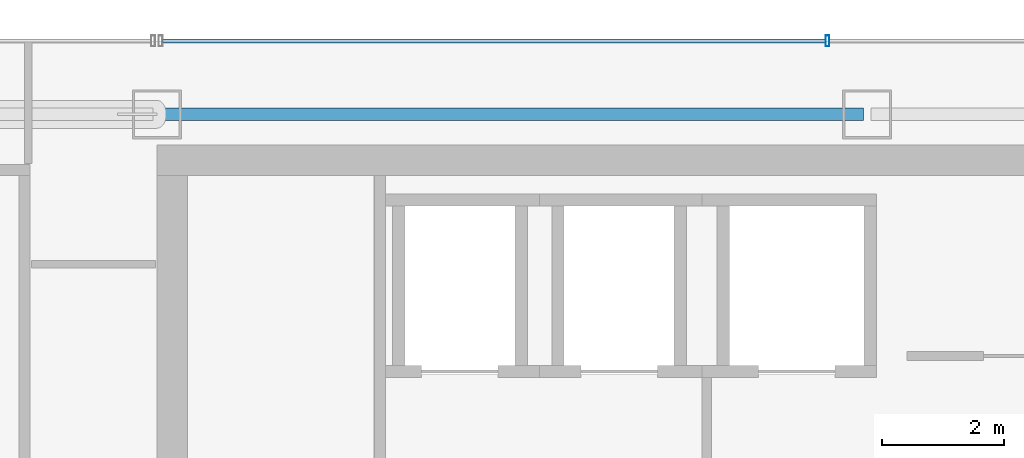
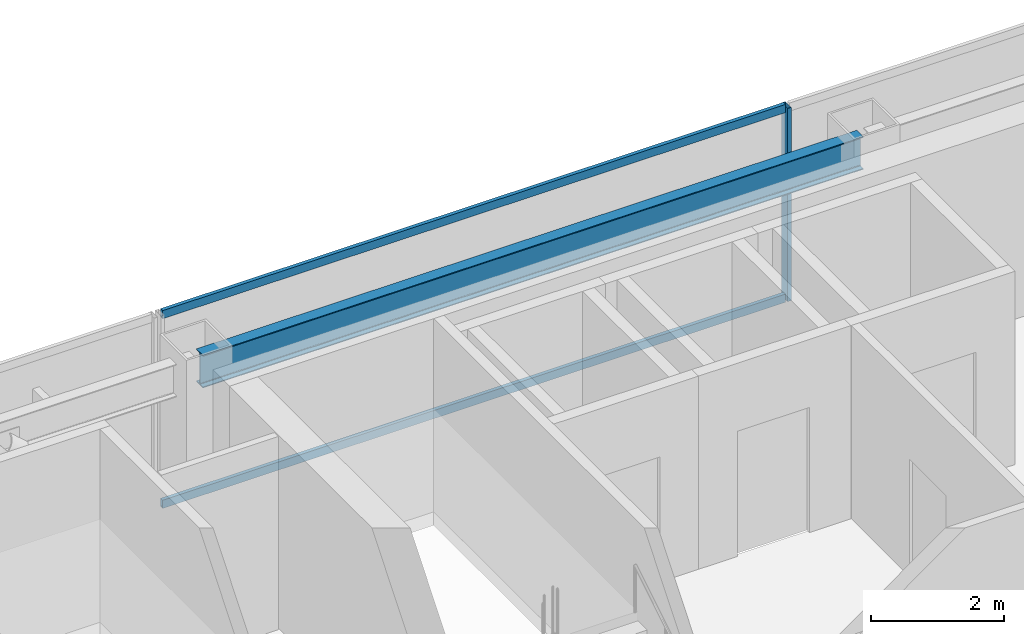
# One storey, part 24 of 35: 3 members, 1 beam, 1 element without a shape of its own.
"""IFC4 building model written with IfcOpenShell, lengths in metres."""

import ifcopenshell
import ifcopenshell.guid

model = None  # the IFC model being written
_history = None  # IfcOwnerHistory: only IFC2X3 demands one
_inside = {}  # id of a spatial element -> (the spatial element, [elements in it])
_under = {}  # id of a project, library or spatial element -> (it, [spatial elements below it])
_declared = {}  # id of a project -> (the project, [libraries it declares])
_typed = {}  # id of a type object -> (the type object, [elements of that type])
_made_of = {}  # id of a material, layer set ... -> (it, [elements and type objects made of it])


def new_model(schema):
    """Start an empty IFC model of exactly this schema.

    Asked for "IFC4X3", IfcOpenShell would pick the latest addendum, in which some entities
    have other attributes; the version numbers below select the first issue.
    IFC2X3 requires an IfcOwnerHistory on every rooted entity: one is made here for all.
    """
    global model, _history
    if schema == "IFC4X3":
        model = ifcopenshell.file(schema_version=(4, 3, 0, 0))
    else:
        model = ifcopenshell.file(schema=schema)
    _inside.clear()
    _under.clear()
    _declared.clear()
    _typed.clear()
    _made_of.clear()
    _history = None
    if model.schema == "IFC2X3":
        org = make("IfcOrganization", Name="unknown")
        user = make(
            "IfcPersonAndOrganization",
            ThePerson=make("IfcPerson", FamilyName="unknown"),
            TheOrganization=org,
        )
        app = make(
            "IfcApplication",
            ApplicationDeveloper=org,
            Version="unknown",
            ApplicationFullName="unknown",
            ApplicationIdentifier="unknown",
        )
        _history = make(
            "IfcOwnerHistory",
            OwningUser=user,
            OwningApplication=app,
            ChangeAction="ADDED",
            CreationDate=0,
        )
    return model


def make(cls, **values):
    """One entity of the class cls with the attributes given. An attribute that is None is left unset."""
    return model.create_entity(
        cls, **{name: value for name, value in values.items() if value is not None}
    )


def rooted(cls, **values):
    """An entity with a GlobalId (a new one), such as an element, a storey or a relation."""
    return make(cls, GlobalId=ifcopenshell.guid.new(), OwnerHistory=_history, **values)


def si_unit(unit_type, name, prefix=None):
    """IfcSIUnit, for example si_unit("LENGTHUNIT", "METRE", prefix="MILLI")."""
    return make("IfcSIUnit", UnitType=unit_type, Prefix=prefix, Name=name)


def assignment(units):
    """IfcUnitAssignment: the units of a project."""
    return None if units is None else make("IfcUnitAssignment", Units=units)


def point(xyz):
    """IfcCartesianPoint."""
    return None if xyz is None else make("IfcCartesianPoint", Coordinates=xyz)


def direction(xyz):
    """IfcDirection."""
    return None if xyz is None else make("IfcDirection", DirectionRatios=xyz)


def frame(location, z_axis=None, x_axis=None):
    """IfcAxis2Placement3D, a coordinate frame: its origin and axes. An axis left out is left unset."""
    return make(
        "IfcAxis2Placement3D",
        Location=point(location),
        Axis=direction(z_axis),
        RefDirection=direction(x_axis),
    )


def frame_2d(location, x_axis=None):
    """IfcAxis2Placement2D, a coordinate frame in the plane: its origin and x axis."""
    return make(
        "IfcAxis2Placement2D", Location=point(location), RefDirection=direction(x_axis)
    )


def origin():
    """The frame at (0, 0, 0) with its axes left unset."""
    return frame((0.0, 0.0, 0.0))


def origin_2d():
    """The frame at (0, 0) in the plane with its x axis left unset."""
    return frame_2d((0.0, 0.0))


def place(relative_to, where):
    """IfcLocalPlacement: puts the frame where relative to a parent placement (None: the world)."""
    return make(
        "IfcLocalPlacement", PlacementRelTo=relative_to, RelativePlacement=where
    )


def context(
    kind, dimensions, precision=None, world=None, true_north=None, identifier=None
):
    """IfcGeometricRepresentationContext, for example the 3D "Model" context."""
    return make(
        "IfcGeometricRepresentationContext",
        ContextIdentifier=identifier,
        ContextType=kind,
        CoordinateSpaceDimension=dimensions,
        Precision=precision,
        WorldCoordinateSystem=world,
        TrueNorth=true_north,
    )


def subcontext(parent, identifier, kind, view, scale=None):
    """IfcGeometricRepresentationSubContext, for example "Body" below "Model"."""
    return make(
        "IfcGeometricRepresentationSubContext",
        ContextIdentifier=identifier,
        ContextType=kind,
        ParentContext=parent,
        TargetScale=scale,
        TargetView=view,
    )


def project(units=None, contexts=None):
    """IfcProject with its units and contexts."""
    return rooted(
        "IfcProject",
        Name="project",
        RepresentationContexts=contexts,
        UnitsInContext=assignment(units),
    )


def spatial(cls, under=None, at=None, **own):
    """A site, building, storey or space (cls), placed at a placement, below another one or the project."""
    s = rooted(cls, ObjectPlacement=at, **own)
    if under is not None:
        _under.setdefault(under.id(), (under, []))[1].append(s)
    return s


def profile(cls, at=None, kind="AREA", **sizes):
    """A parametric profile (cls). Its sizes go by their IFC names, for example OverallWidth=200.0."""
    return make(cls, ProfileType=kind, Position=at, **sizes)


def hollow_rectangle(**sizes):
    """IfcRectangleHollowProfileDef."""
    return profile("IfcRectangleHollowProfileDef", **sizes)


def i_section(**sizes):
    """IfcIShapeProfileDef."""
    return profile("IfcIShapeProfileDef", **sizes)


def extrude(swept, where, along, depth):
    """IfcExtrudedAreaSolid: the profile swept, set in the frame where, extruded along a direction by depth."""
    return make(
        "IfcExtrudedAreaSolid",
        SweptArea=swept,
        Position=where,
        ExtrudedDirection=direction(along),
        Depth=depth,
    )


def shape(context_of_items, identifier, shape_type, items):
    """IfcShapeRepresentation: the items that make up one representation, for example the "Body"."""
    return make(
        "IfcShapeRepresentation",
        ContextOfItems=context_of_items,
        RepresentationIdentifier=identifier,
        RepresentationType=shape_type,
        Items=items,
    )


def material(Name=None, Category=None):
    """IfcMaterial."""
    return make("IfcMaterial", Name=Name, Category=Category)


def material_profile(
    of_material, cross_section, Name=None, Category=None, Priority=None
):
    """IfcMaterialProfile: a cross section and its material."""
    return make(
        "IfcMaterialProfile",
        Name=Name,
        Material=of_material,
        Profile=cross_section,
        Priority=Priority,
        Category=Category,
    )


def profile_set(profiles, Name=None, composite=None):
    """IfcMaterialProfileSet."""
    return make(
        "IfcMaterialProfileSet",
        Name=Name,
        MaterialProfiles=profiles,
        CompositeProfile=composite,
    )


def made_of(thing, what):
    """Note that an element or type object is made of a material, layer set ...; save() writes the relation."""
    if what is not None:
        _made_of.setdefault(what.id(), (what, []))[1].append(thing)
    return thing


def type_object(cls, material=None, **own):
    """A type object (cls), such as IfcWallType, which elements share."""
    return made_of(rooted(cls, **own), material)


def element(
    cls,
    number,
    at=None,
    inside=None,
    cuts=None,
    type_object=None,
    material=None,
    context=None,
    identifier="Body",
    shape_type=None,
    held_by="IfcProductDefinitionShape",
    body=None,
    shapes=None,
    **own,
):
    """One element of the class cls, such as IfcWall. Its Tag is "e" and its number.

    at: its placement. inside: the storey or other place that contains it. cuts: it is an
    opening in that element (IfcRelVoidsElement). A single representation is given by context,
    identifier, shape_type and body (its items); several are given by shapes. held_by: the class
    of the entity that holds the representations. save() writes the other relations.
    """
    e = rooted(cls, Tag="e%d" % number, ObjectPlacement=at, **own)
    if body is not None:
        shapes = [shape(context, identifier, shape_type, body)]
    if shapes is not None:
        e.Representation = make(held_by, Representations=shapes)
    if inside is not None:
        _inside.setdefault(inside.id(), (inside, []))[1].append(e)
    if cuts is not None:
        rooted(
            "IfcRelVoidsElement", RelatingBuildingElement=cuts, RelatedOpeningElement=e
        )
    if type_object is not None:
        _typed.setdefault(type_object.id(), (type_object, []))[1].append(e)
    return made_of(e, material)


def aggregate(whole, parts):
    """IfcRelAggregates: a whole, such as a stair, and the parts it consists of."""
    return rooted("IfcRelAggregates", RelatingObject=whole, RelatedObjects=parts)


def save(model, path):
    """Write the relations noted so far, then the file.

    IfcRelAggregates (storeys below a building ...), IfcRelContainedInSpatialStructure (elements
    in a storey), IfcRelDefinesByType, IfcRelAssociatesMaterial and IfcRelDeclares: one each for
    every whole, place, type object, material and project.
    """
    for whole, parts in _under.values():
        aggregate(whole, parts)
    for where, things in _inside.values():
        rooted(
            "IfcRelContainedInSpatialStructure",
            RelatedElements=things,
            RelatingStructure=where,
        )
    for kind, things in _typed.values():
        rooted("IfcRelDefinesByType", RelatedObjects=things, RelatingType=kind)
    for what, things in _made_of.values():
        rooted("IfcRelAssociatesMaterial", RelatedObjects=things, RelatingMaterial=what)
    for by, libraries in _declared.values():
        rooted("IfcRelDeclares", RelatingContext=by, RelatedDefinitions=libraries)
    model.write(path)


model = new_model("IFC4")

# Units and contexts
model_context = context("Model", 3, precision=1e-05, world=origin(), true_north=direction((0.0, 1.0)))
body_context = subcontext(model_context, "Body", "Model", "MODEL_VIEW")
ifc_project = project(units=[si_unit("LENGTHUNIT", "METRE"), si_unit("AREAUNIT", "SQUARE_METRE"), si_unit("VOLUMEUNIT", "CUBIC_METRE"), si_unit("PLANEANGLEUNIT", "RADIAN"), si_unit("MASSUNIT", "GRAM", prefix="KILO")], contexts=[model_context])

# Site, building, storey
site_placement = place(None, origin())
site = spatial("IfcSite", under=ifc_project, at=site_placement, CompositionType="ELEMENT")
building_placement = place(site_placement, origin())
building = spatial("IfcBuilding", under=site, at=building_placement, Name="Saevonmaru Cultural Tower", CompositionType="ELEMENT")
storey_placement = place(building_placement, frame((0.0, 0.0, 213.199951171875)))
storey = spatial("IfcBuildingStorey", under=building, at=storey_placement, Name="L49", CompositionType="ELEMENT", Elevation=213.199951171875)

# Beam
ifc_material_1 = material(Name="Steel SM355", Category="steel")
ifc_material_profile_1 = material_profile(ifc_material_1, i_section(OverallWidth=0.199951171875, OverallDepth=0.60009765625, WebThickness=0.010986328125, FlangeThickness=0.01708984375, FilletRadius=0.02197265625, at=origin_2d()), Name="H-600x200x11x17")
ifc_profile_set_1 = profile_set([ifc_material_profile_1], Name="Steel SM355")
beam_type = type_object("IfcBeamType", Name="BM-SP-H600", PredefinedType="SPANDREL", material=ifc_profile_set_1)
beam_placement = place(storey_placement, frame((13.659912109375, 54.800048828125, 3.25), z_axis=(1.0, 0.0, 0.0), x_axis=(0.0, 1.0, 0.0)))
element("IfcBeam", 1, at=beam_placement, inside=storey, type_object=beam_type, Name="L49 North Spine Girder 2", PredefinedType="SPANDREL", context=body_context, shape_type="SweptSolid", body=[
    extrude(i_section(OverallWidth=0.199951171875, OverallDepth=0.60009765625, WebThickness=0.010986328125, FlangeThickness=0.01708984375, FilletRadius=0.02197265625, at=origin_2d()), origin(), (0.0, 0.0, 1.0), 11.47998046875),
])

# Curtain wall, members
ifc_material_2 = material(Name="Satin Bronze Anodised Aluminium", Category="aluminium")
curtain_wall_type = type_object("IfcCurtainWallType", Name="CW-TYP-B", PredefinedType="NOTDEFINED", material=ifc_material_2)
curtain_wall_placement = place(storey_placement, origin())
curtain_wall = element("IfcCurtainWall", 2, at=curtain_wall_placement, inside=storey, type_object=curtain_wall_type, Name="L49 North Spine Unitised Curtain Wall E10B", PredefinedType="NOTDEFINED")
ifc_material_profile_2 = material_profile(ifc_material_2, hollow_rectangle(XDim=0.06494140625, YDim=0.179931640625, WallThickness=0.00390625, at=origin_2d()), Name="ALU-MULL-180x65x4")
ifc_profile_set_2 = profile_set([ifc_material_profile_2], Name="Satin Bronze Anodised Aluminium")
member_type_1 = type_object("IfcMemberType", Name="ML-CW-180x65", PredefinedType="MULLION", material=ifc_profile_set_2)
member_1_placement = place(storey_placement, frame((24.55322265625, 56.0, 0.0), z_axis=(0.0, 0.0, 1.0), x_axis=(-1.0, 0.0, 0.0)))
member_1 = element("IfcMember", 3, at=member_1_placement, type_object=member_type_1, Name="CW-TW-L49-E10B mullion 3", PredefinedType="MULLION", context=body_context, shape_type="SweptSolid", body=[
    extrude(hollow_rectangle(XDim=0.06494140625, YDim=0.179931640625, WallThickness=0.00390625, at=origin_2d()), origin(), (0.0, 0.0, 1.0), 3.550048828125),
])
ifc_material_profile_3 = material_profile(ifc_material_2, hollow_rectangle(XDim=0.06494140625, YDim=0.14990234375, WallThickness=0.00390625, at=origin_2d()), Name="ALU-TRAN-150x65x4")
ifc_profile_set_3 = profile_set([ifc_material_profile_3], Name="Satin Bronze Anodised Aluminium")
member_type_2 = type_object("IfcMemberType", Name="TR-CW-150x65", PredefinedType="USERDEFINED", material=ifc_profile_set_3)
member_2_placement = place(storey_placement, frame((24.520751953125, 56.0, 0.032470703125), z_axis=(-1.0, 0.0, 0.0), x_axis=(0.0, -1.0, 0.0)))
member_2 = element("IfcMember", 4, at=member_2_placement, type_object=member_type_2, Name="CW-TW-L49-E10B transom 3.1", ObjectType="TRANSOM", PredefinedType="USERDEFINED", context=body_context, shape_type="SweptSolid", body=[
    extrude(hollow_rectangle(XDim=0.06494140625, YDim=0.14990234375, WallThickness=0.00390625, at=origin_2d()), origin(), (0.0, 0.0, 1.0), 10.828369140625),
])
member_3_placement = place(storey_placement, frame((24.520751953125, 56.0, 3.517578125), z_axis=(-1.0, 0.0, 0.0), x_axis=(0.0, -1.0, 0.0)))
member_3 = element("IfcMember", 5, at=member_3_placement, type_object=member_type_2, Name="CW-TW-L49-E10B transom 3.2", ObjectType="TRANSOM", PredefinedType="USERDEFINED", context=body_context, shape_type="SweptSolid", body=[
    extrude(hollow_rectangle(XDim=0.06494140625, YDim=0.14990234375, WallThickness=0.00390625, at=origin_2d()), origin(), (0.0, 0.0, 1.0), 10.828369140625),
])
aggregate(curtain_wall, [member_1, member_2, member_3])

save(model, "model.ifc")
